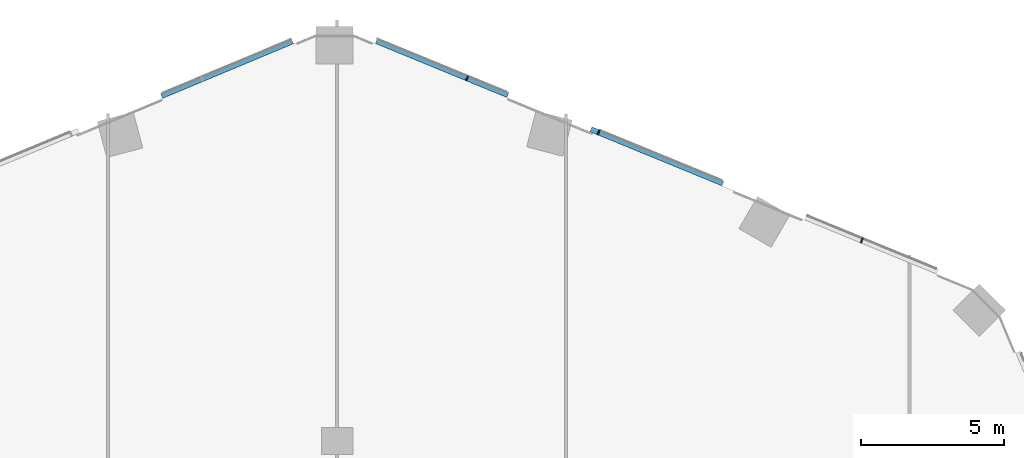
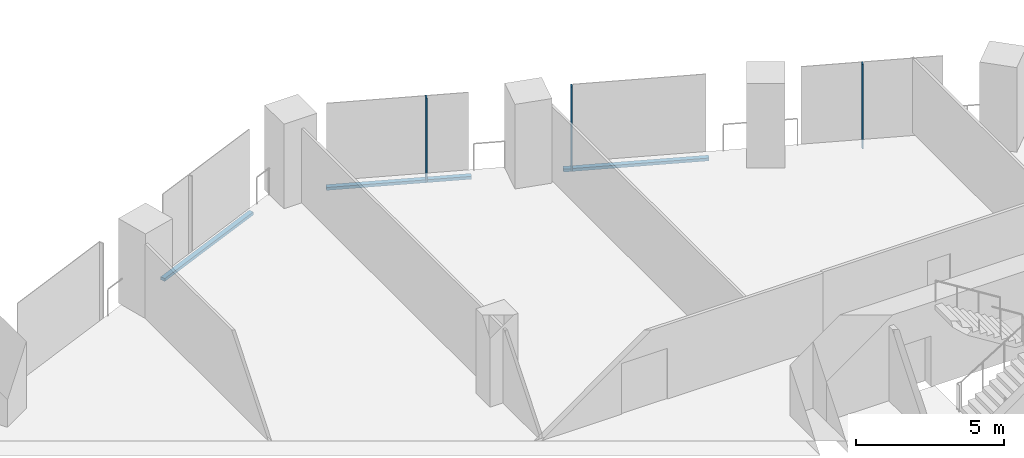
# One storey, part 11 of 34: 6 members, 2 elements without a shape of their own.
"""IFC4 building model written with IfcOpenShell, lengths in metres."""

from ifc_helpers import new_model, si_unit, direction, frame, origin, origin_2d, place, context, subcontext, project, spatial, rectangle, extrude, material, material_profile, profile_set, type_object, element, aggregate, save


model = new_model("IFC4")

# Units and contexts
model_context = context("Model", 3, precision=1e-05, world=origin(), true_north=direction((0.0, 1.0)))
body_context = subcontext(model_context, "Body", "Model", "MODEL_VIEW")
ifc_project = project(units=[si_unit("LENGTHUNIT", "METRE"), si_unit("AREAUNIT", "SQUARE_METRE"), si_unit("VOLUMEUNIT", "CUBIC_METRE"), si_unit("PLANEANGLEUNIT", "RADIAN"), si_unit("MASSUNIT", "GRAM", prefix="KILO")], contexts=[model_context])

# Site, building, storey
site_placement = place(None, origin())
site = spatial("IfcSite", under=ifc_project, at=site_placement, CompositionType="ELEMENT")
building_placement = place(site_placement, origin())
building = spatial("IfcBuilding", under=site, at=building_placement, Name="Orlundy Tower", CompositionType="ELEMENT")
storey_placement = place(building_placement, frame((0.0, 0.0, 102.199951171875)))
storey = spatial("IfcBuildingStorey", under=building, at=storey_placement, Name="L25", CompositionType="ELEMENT", Elevation=102.199951171875)

# Curtain wall, members
ifc_material_1 = material(Name="Aluminium bronze anodised", Category="aluminium")
curtain_wall_type = type_object("IfcCurtainWallType", Name="CW1 wall", PredefinedType="NOTDEFINED", material=ifc_material_1)
curtain_wall_1_placement = place(storey_placement, origin())
curtain_wall_1 = element("IfcCurtainWall", 1, at=curtain_wall_1_placement, inside=storey, type_object=curtain_wall_type, Name="CW1 run 016", PredefinedType="NOTDEFINED")
ifc_material_2 = material(Name="Aluminium bronze anodised", Category="aluminium")
ifc_material_profile_1 = material_profile(ifc_material_2, rectangle(XDim=0.179931640625, YDim=0.050048828125, at=origin_2d()), Name="CW1 mullion 50x180")
ifc_profile_set_1 = profile_set([ifc_material_profile_1], Name="Aluminium bronze anodised")
member_type_1 = type_object("IfcMemberType", Name="CW1 mullion 50x180", PredefinedType="MULLION", material=ifc_profile_set_1)
member_1_placement = place(storey_placement, frame((4.537841796875, 30.66650390625, -0.39990234375), z_axis=(0.0, 0.0, 1.0), x_axis=(0.380004927003, 0.924984462277, 0.0)))
member_1 = element("IfcMember", 2, at=member_1_placement, type_object=member_type_1, Name="CW1 mullion 45", PredefinedType="MULLION", context=body_context, shape_type="SweptSolid", body=[
    extrude(rectangle(XDim=0.179931640625, YDim=0.050048828125, at=origin_2d()), origin(), (0.0, 0.0, 1.0), 3.5),
])
member_2_placement = place(storey_placement, frame((9.135498046875, 28.777587890625, -0.39990234375), z_axis=(0.0, 0.0, 1.0), x_axis=(0.380004927003, 0.924984462277, 0.0)))
member_2 = element("IfcMember", 3, at=member_2_placement, type_object=member_type_1, Name="CW1 mullion 46", PredefinedType="MULLION", context=body_context, shape_type="SweptSolid", body=[
    extrude(rectangle(XDim=0.179931640625, YDim=0.050048828125, at=origin_2d()), origin(), (0.0, 0.0, 1.0), 3.5),
])
member_3_placement = place(storey_placement, frame((18.33056640625, 25.0, -0.39990234375), z_axis=(0.0, 0.0, 1.0), x_axis=(0.380004927003, 0.924984462277, 0.0)))
member_3 = element("IfcMember", 4, at=member_3_placement, type_object=member_type_1, Name="CW1 mullion 48", PredefinedType="MULLION", context=body_context, shape_type="SweptSolid", body=[
    extrude(rectangle(XDim=0.179931640625, YDim=0.050048828125, at=origin_2d()), origin(), (0.0, 0.0, 1.0), 3.5),
])

# Curtain wall, member
curtain_wall_2_placement = place(storey_placement, origin())
curtain_wall_2 = element("IfcCurtainWall", 5, at=curtain_wall_2_placement, inside=storey, type_object=curtain_wall_type, Name="CW1 run 015", PredefinedType="NOTDEFINED")
ifc_material_3 = material(Name="Aluminium bronze anodised", Category="aluminium")
ifc_material_profile_2 = material_profile(ifc_material_3, rectangle(XDim=0.179931640625, YDim=0.1201171875, at=origin_2d()), Name="CW1 transom 180x120")
ifc_profile_set_2 = profile_set([ifc_material_profile_2], Name="Aluminium bronze anodised")
member_type_2 = type_object("IfcMemberType", Name="CW1 transom 180x120", PredefinedType="USERDEFINED", material=ifc_profile_set_2)
member_4_placement = place(storey_placement, frame((-6.13232421875, 30.047607421875, -0.33984375), z_axis=(0.922741406068, 0.385419638224, 0.0), x_axis=(-0.385419638224, 0.922741406068, 0.0)))
member_4 = element("IfcMember", 6, at=member_4_placement, type_object=member_type_2, Name="CW1 transom", ObjectType="TRANSOM", PredefinedType="USERDEFINED", context=body_context, shape_type="SweptSolid", body=[
    extrude(rectangle(XDim=0.179931640625, YDim=0.1201171875, at=origin_2d()), origin(), (0.0, 0.0, 1.0), 4.956787109375),
])
aggregate(curtain_wall_2, [member_4])

# Member
member_5_placement = place(storey_placement, frame((1.37255859375, 31.966796875, -0.33984375), z_axis=(0.924991427167, -0.379987973057, 0.0), x_axis=(0.379987973057, 0.924991427167, 0.0)))
member_5 = element("IfcMember", 7, at=member_5_placement, type_object=member_type_2, Name="CW1 transom", ObjectType="TRANSOM", PredefinedType="USERDEFINED", context=body_context, shape_type="SweptSolid", body=[
    extrude(rectangle(XDim=0.179931640625, YDim=0.1201171875, at=origin_2d()), origin(), (0.0, 0.0, 1.0), 4.965087890625),
])

member_6_placement = place(storey_placement, frame((8.86865234375, 28.88720703125, -0.33984375), z_axis=(0.924981359069, -0.38001248055, 0.0), x_axis=(0.38001248055, 0.924981359069, 0.0)))
member_6 = element("IfcMember", 8, at=member_6_placement, type_object=member_type_2, Name="CW1 transom", ObjectType="TRANSOM", PredefinedType="USERDEFINED", context=body_context, shape_type="SweptSolid", body=[
    extrude(rectangle(XDim=0.179931640625, YDim=0.1201171875, at=origin_2d()), origin(), (0.0, 0.0, 1.0), 4.980224609375),
])

aggregate(curtain_wall_1, [member_1, member_2, member_3, member_5, member_6])

save(model, "model.ifc")
